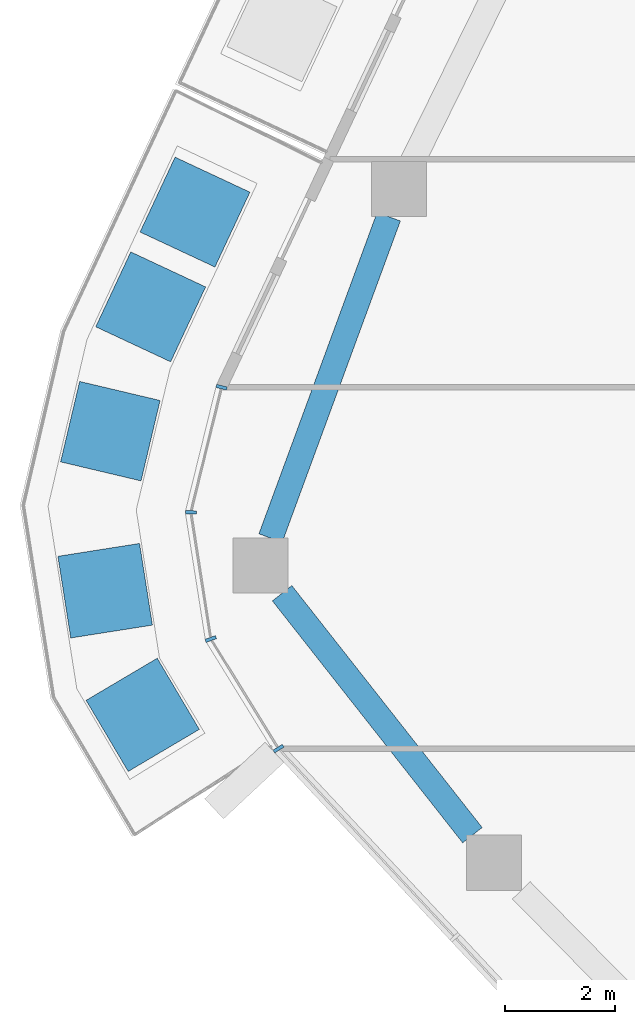
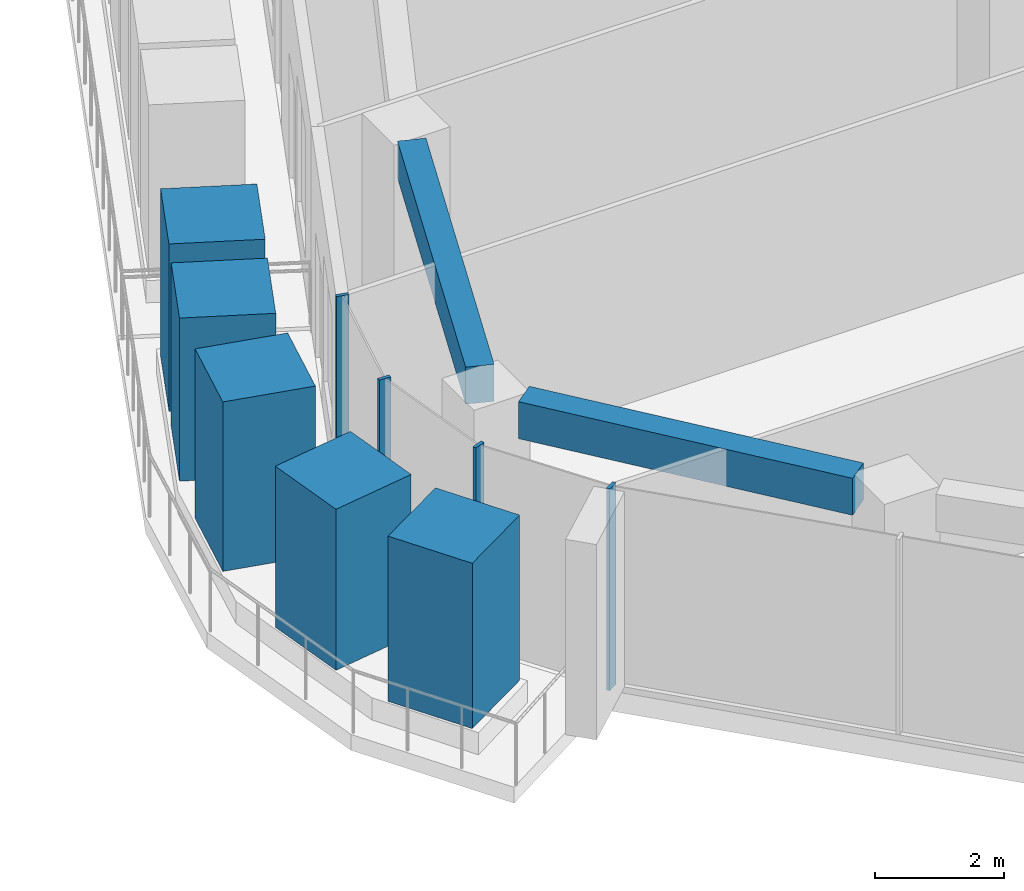
# One storey, part 3 of 23: 9 members, 2 beams, 1 element without a shape of its own.
"""IFC4 building model written with IfcOpenShell, lengths in metres."""

from ifc_helpers import new_model, si_unit, direction, frame, origin, origin_2d, place, context, subcontext, project, spatial, rectangle, extrude, material, layer, layer_set, material_profile, profile_set, type_object, element, aggregate, save


model = new_model("IFC4")

# Units and contexts
model_context = context("Model", 3, precision=1e-05, world=origin(), true_north=direction((0.0, 1.0)))
body_context = subcontext(model_context, "Body", "Model", "MODEL_VIEW")
ifc_project = project(units=[si_unit("LENGTHUNIT", "METRE"), si_unit("AREAUNIT", "SQUARE_METRE"), si_unit("VOLUMEUNIT", "CUBIC_METRE"), si_unit("PLANEANGLEUNIT", "RADIAN"), si_unit("MASSUNIT", "GRAM", prefix="KILO")], contexts=[model_context])

# Site, building, storey
site_placement = place(None, origin())
site = spatial("IfcSite", under=ifc_project, at=site_placement, CompositionType="ELEMENT")
building_placement = place(site_placement, origin())
building = spatial("IfcBuilding", under=site, at=building_placement, Name="Dongbaek Canopy Tower", CompositionType="ELEMENT")
storey_placement = place(building_placement, frame((0.0, 0.0, 336.199951171875)))
storey = spatial("IfcBuildingStorey", under=building, at=storey_placement, Name="L72", CompositionType="ELEMENT", Elevation=336.199951171875)

# Curtain wall, members
ifc_material_1 = material(Name="Aluminium 6063-T6 pale anodised", Category="aluminium")
ifc_layer = layer(ifc_material_1, 0.199951171875)
ifc_layer_set = layer_set([ifc_layer], Name="CW-1 unitised tower curtain wall")
curtain_wall_type = type_object("IfcCurtainWallType", Name="CW-1 unitised tower curtain wall", PredefinedType="NOTDEFINED", material=ifc_layer_set)
curtain_wall_placement = place(storey_placement, origin())
curtain_wall = element("IfcCurtainWall", 1, at=curtain_wall_placement, inside=storey, type_object=curtain_wall_type, Name="CW-1 curtain wall K3.1", PredefinedType="NOTDEFINED")
ifc_material_2 = material(Name="Aluminium 6063-T6 pale anodised", Category="aluminium")
ifc_material_profile_1 = material_profile(ifc_material_2, rectangle(XDim=0.199951171875, YDim=0.06005859375, at=origin_2d()), Name="CW-1 mullion 60 x 200")
ifc_profile_set_1 = profile_set([ifc_material_profile_1], Name="Aluminium 6063-T6 pale anodised")
member_type_1 = type_object("IfcMemberType", Name="CW-1 mullion 60 x 200", PredefinedType="MULLION", material=ifc_profile_set_1)
member_1_placement = place(storey_placement, frame((-31.8330078125, -3.507568359375, 0.0), z_axis=(0.0, 0.0, 1.0), x_axis=(-0.971110092335, 0.238631910198, 0.0)))
member_1 = element("IfcMember", 2, at=member_1_placement, type_object=member_type_1, Name="CW-1 mullion K3.1.1", PredefinedType="MULLION", context=body_context, shape_type="SweptSolid", body=[
    extrude(rectangle(XDim=0.199951171875, YDim=0.06005859375, at=origin_2d()), origin(), (0.0, 0.0, 1.0), 3.820068359375),
])
member_2_placement = place(storey_placement, frame((-32.390625, -5.77685546875, 0.0), z_axis=(0.0, 0.0, 1.0), x_axis=(-0.999101300895, 0.042386207062, 0.0)))
member_2 = element("IfcMember", 3, at=member_2_placement, type_object=member_type_1, Name="CW-1 mullion K3.1.2", PredefinedType="MULLION", context=body_context, shape_type="SweptSolid", body=[
    extrude(rectangle(XDim=0.199951171875, YDim=0.06005859375, at=origin_2d()), origin(), (0.0, 0.0, 1.0), 3.820068359375),
])
member_3_placement = place(storey_placement, frame((-32.02880859375, -8.075439453125, 0.0), z_axis=(0.0, 0.0, 1.0), x_axis=(-0.937744851742, -0.347324909891, 0.0)))
member_3 = element("IfcMember", 4, at=member_3_placement, type_object=member_type_1, Name="CW-1 mullion K3.1.3", PredefinedType="MULLION", context=body_context, shape_type="SweptSolid", body=[
    extrude(rectangle(XDim=0.199951171875, YDim=0.06005859375, at=origin_2d()), origin(), (0.0, 0.0, 1.0), 3.820068359375),
])
member_4_placement = place(storey_placement, frame((-30.800537109375, -10.063720703125, 0.0), z_axis=(0.0, 0.0, 1.0), x_axis=(-0.850808249929, -0.525476280961, 0.0)))
member_4 = element("IfcMember", 5, at=member_4_placement, type_object=member_type_1, Name="CW-1 mullion K3.1.4", PredefinedType="MULLION", context=body_context, shape_type="SweptSolid", body=[
    extrude(rectangle(XDim=0.199951171875, YDim=0.06005859375, at=origin_2d()), origin(), (0.0, 0.0, 1.0), 3.820068359375),
])
aggregate(curtain_wall, [member_1, member_2, member_3, member_4])

# Beams
ifc_material_3 = material(Name="Concrete C60", Category="concrete")
ifc_material_profile_2 = material_profile(ifc_material_3, rectangle(XDim=0.449951171875, YDim=0.699951171875, at=origin_2d()), Name="RC EDGE BEAM 450x700 C60")
ifc_profile_set_2 = profile_set([ifc_material_profile_2], Name="Concrete C60")
beam_type = type_object("IfcBeamType", Name="RC EDGE BEAM 450x700 C60", PredefinedType="BEAM", material=ifc_profile_set_2)
beam_1_placement = place(storey_placement, frame((-27.282470703125, -11.634033203125, 3.469970703125), z_axis=(-0.618340786972, 0.78591009102, 0.0), x_axis=(-0.78591009102, -0.618340786972, 0.0)))
element("IfcBeam", 6, at=beam_1_placement, inside=storey, type_object=beam_type, Name="EDGEBEAM:L72:07", PredefinedType="BEAM", context=body_context, shape_type="SweptSolid", body=[
    extrude(rectangle(XDim=0.449951171875, YDim=0.699951171875, at=origin_2d()), origin(), (0.0, 0.0, 1.0), 5.58447265625),
])
beam_2_placement = place(storey_placement, frame((-30.945068359375, -6.2451171875, 3.469970703125), z_axis=(0.345138950659, 0.938551599401, 0.0), x_axis=(-0.938551599401, 0.345138950659, 0.0)))
element("IfcBeam", 7, at=beam_2_placement, inside=storey, type_object=beam_type, Name="EDGEBEAM:L72:08", PredefinedType="BEAM", context=body_context, shape_type="SweptSolid", body=[
    extrude(rectangle(XDim=0.449951171875, YDim=0.699951171875, at=origin_2d()), origin(), (0.0, 0.0, 1.0), 6.212890625),
])

# Members
ifc_material_4 = material(Name="Concrete C40/50 planter mass with planting", Category="concrete")
ifc_material_profile_3 = material_profile(ifc_material_4, rectangle(XDim=1.5, YDim=1.5, at=origin_2d()), Name="Terrace PLANTER shrub mass 1500 x 1500")
ifc_profile_set_3 = profile_set([ifc_material_profile_3], Name="Concrete C40/50 planter mass with planting")
member_type_2 = type_object("IfcMemberType", Name="Terrace PLANTER shrub mass 1500 x 1500", PredefinedType="USERDEFINED", material=ifc_profile_set_3)
member_5_placement = place(storey_placement, frame((-32.3154296875, -0.33154296875, 0.420166015625), z_axis=(0.0, 0.0, 1.0), x_axis=(-0.905889150893, 0.423514871397, 0.0)))
element("IfcMember", 8, at=member_5_placement, inside=storey, type_object=member_type_2, Name="Planter shrubs L72 7.1", ObjectType="PLANTER", PredefinedType="USERDEFINED", context=body_context, shape_type="SweptSolid", body=[
    extrude(rectangle(XDim=1.5, YDim=1.5, at=origin_2d()), origin(), (0.0, 0.0, 1.0), 3.169921875),
])
member_6_placement = place(storey_placement, frame((-33.118896484375, -2.050537109375, 0.420166015625), z_axis=(0.0, 0.0, 1.0), x_axis=(-0.905889150893, 0.423514871397, 0.0)))
element("IfcMember", 9, at=member_6_placement, inside=storey, type_object=member_type_2, Name="Planter shrubs L72 7.2", ObjectType="PLANTER", PredefinedType="USERDEFINED", context=body_context, shape_type="SweptSolid", body=[
    extrude(rectangle(XDim=1.5, YDim=1.5, at=origin_2d()), origin(), (0.0, 0.0, 1.0), 3.08984375),
])
member_7_placement = place(storey_placement, frame((-33.850830078125, -4.305419921875, 0.420166015625), z_axis=(0.0, 0.0, 1.0), x_axis=(-0.973143922153, 0.230197538598, 0.0)))
element("IfcMember", 10, at=member_7_placement, inside=storey, type_object=member_type_2, Name="Planter shrubs L72 7.3", ObjectType="PLANTER", PredefinedType="USERDEFINED", context=body_context, shape_type="SweptSolid", body=[
    extrude(rectangle(XDim=1.5, YDim=1.5, at=origin_2d()), origin(), (0.0, 0.0, 1.0), 3.2099609375),
])
member_8_placement = place(storey_placement, frame((-33.945068359375, -7.199462890625, 0.420166015625), z_axis=(0.0, 0.0, 1.0), x_axis=(-0.987831940878, -0.155525099522, 0.0)))
element("IfcMember", 11, at=member_8_placement, inside=storey, type_object=member_type_2, Name="Planter shrubs L72 7.4", ObjectType="PLANTER", PredefinedType="USERDEFINED", context=body_context, shape_type="SweptSolid", body=[
    extrude(rectangle(XDim=1.5, YDim=1.5, at=origin_2d()), origin(), (0.0, 0.0, 1.0), 3.0498046875),
])
member_9_placement = place(storey_placement, frame((-33.263427734375, -9.451171875, 0.420166015625), z_axis=(0.0, 0.0, 1.0), x_axis=(-0.860621503226, -0.509245155288, 0.0)))
element("IfcMember", 12, at=member_9_placement, inside=storey, type_object=member_type_2, Name="Planter shrubs L72 7.5", ObjectType="PLANTER", PredefinedType="USERDEFINED", context=body_context, shape_type="SweptSolid", body=[
    extrude(rectangle(XDim=1.5, YDim=1.5, at=origin_2d()), origin(), (0.0, 0.0, 1.0), 3.1298828125),
])

save(model, "model.ifc")
